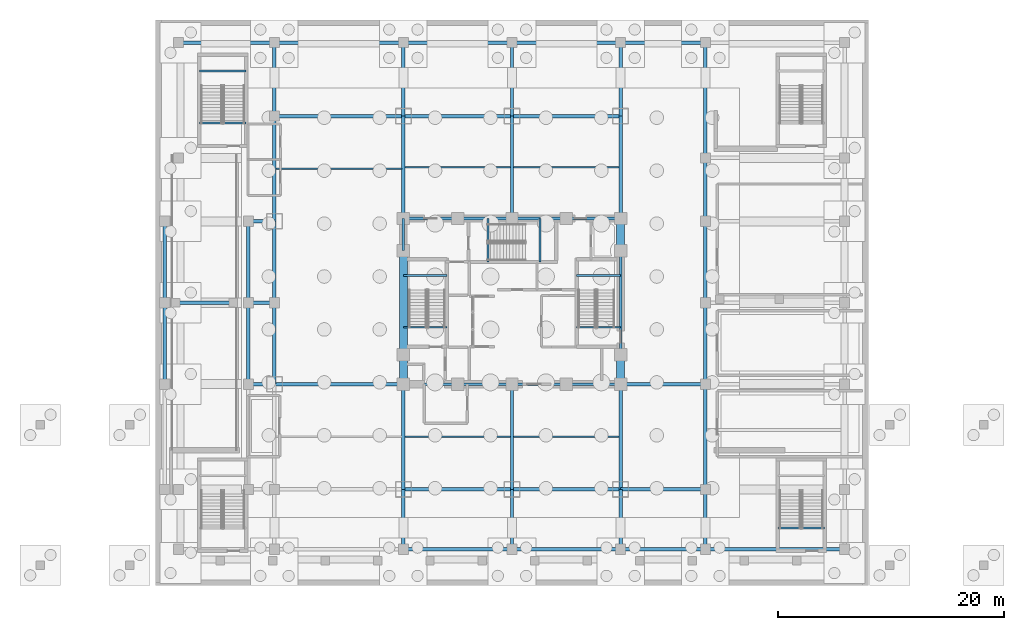
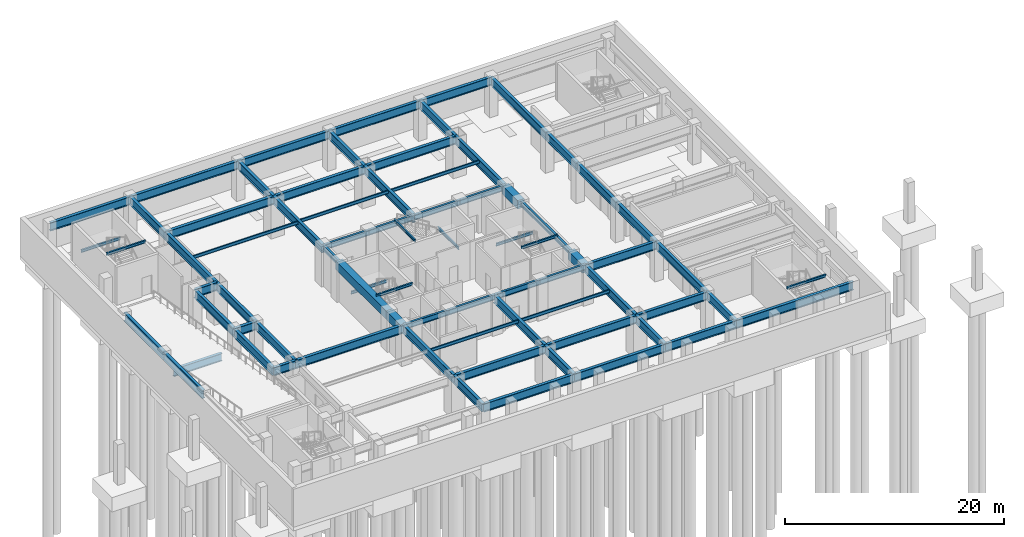
# One storey, part 3 of 12: 75 beams.
"""IFC4 building model written with IfcOpenShell, lengths in metres."""

from ifc_helpers import new_model, si_unit, direction, frame, origin, origin_2d, place, context, subcontext, project, spatial, rectangle, i_section, extrude, material, material_profile, profile_set, type_object, element, save


model = new_model("IFC4")

# Units and contexts
model_context = context("Model", 3, precision=1e-05, world=origin(), true_north=direction((0.0, 1.0)))
body_context = subcontext(model_context, "Body", "Model", "MODEL_VIEW")
ifc_project = project(units=[si_unit("LENGTHUNIT", "METRE"), si_unit("AREAUNIT", "SQUARE_METRE"), si_unit("VOLUMEUNIT", "CUBIC_METRE"), si_unit("PLANEANGLEUNIT", "RADIAN"), si_unit("MASSUNIT", "GRAM", prefix="KILO")], contexts=[model_context])

# Site, building, storey
site_placement = place(None, origin())
site = spatial("IfcSite", under=ifc_project, at=site_placement, CompositionType="ELEMENT")
building_placement = place(site_placement, origin())
building = spatial("IfcBuilding", under=site, at=building_placement, Name="Vantalir Tower", CompositionType="ELEMENT")
storey_placement = place(building_placement, frame((0.0, 0.0, -9.0)))
storey = spatial("IfcBuildingStorey", under=building, at=storey_placement, Name="B02", CompositionType="ELEMENT", Elevation=-9.0)

# Beams
ifc_material_1 = material(Name="Concrete C60/75", Category="concrete")
ifc_material_profile_1 = material_profile(ifc_material_1, rectangle(XDim=0.699951171875, YDim=0.949951171875, at=origin_2d()), Name="Concrete C60/75")
ifc_profile_set_1 = profile_set([ifc_material_profile_1], Name="Concrete C60/75")
beam_type_1 = type_object("IfcBeamType", Name="BM-CB-700x950", PredefinedType="USERDEFINED", material=ifc_profile_set_1)
beam_1_placement = place(storey_placement, frame((41.10009765625, 17.800048828125, 3.77490234375), z_axis=(0.0, 1.0, 0.0), x_axis=(-1.0, 0.0, 0.0)))
element("IfcBeam", 1, at=beam_1_placement, inside=storey, type_object=beam_type_1, Name="B02 Core Coupling Girder 05", ObjectType="GIRDER", PredefinedType="USERDEFINED", context=body_context, shape_type="SweptSolid", body=[
    extrude(rectangle(XDim=0.699951171875, YDim=0.949951171875, at=origin_2d()), origin(), (0.0, 0.0, 1.0), 2.599853515625),
])
beam_2_placement = place(storey_placement, frame((41.10009765625, 29.60009765625, 3.77490234375), z_axis=(0.0, 1.0, 0.0), x_axis=(-1.0, 0.0, 0.0)))
element("IfcBeam", 2, at=beam_2_placement, inside=storey, type_object=beam_type_1, Name="B02 Core Coupling Girder 07", ObjectType="GIRDER", PredefinedType="USERDEFINED", context=body_context, shape_type="SweptSolid", body=[
    extrude(rectangle(XDim=0.699951171875, YDim=0.949951171875, at=origin_2d()), origin(), (0.0, 0.0, 1.0), 2.849853515625),
])
beam_3_placement = place(storey_placement, frame((21.89990234375, 29.60009765625, 3.77490234375), z_axis=(0.0, -1.0, 0.0), x_axis=(1.0, 0.0, 0.0)))
element("IfcBeam", 3, at=beam_3_placement, inside=storey, type_object=beam_type_1, Name="B02 Core Coupling Girder 13", ObjectType="GIRDER", PredefinedType="USERDEFINED", context=body_context, shape_type="SweptSolid", body=[
    extrude(rectangle(XDim=0.699951171875, YDim=0.949951171875, at=origin_2d()), origin(), (0.0, 0.0, 1.0), 9.2001953125),
])
beam_4_placement = place(storey_placement, frame((21.89990234375, 20.39990234375, 3.77490234375), z_axis=(0.0, -1.0, 0.0), x_axis=(1.0, 0.0, 0.0)))
element("IfcBeam", 4, at=beam_4_placement, inside=storey, type_object=beam_type_1, Name="B02 Core Coupling Girder 14", ObjectType="GIRDER", PredefinedType="USERDEFINED", context=body_context, shape_type="SweptSolid", body=[
    extrude(rectangle(XDim=0.699951171875, YDim=0.949951171875, at=origin_2d()), origin(), (0.0, 0.0, 1.0), 2.599853515625),
])
ifc_material_2 = material(Name="Steel S355", Category="steel")
ifc_material_profile_2 = material_profile(ifc_material_2, i_section(OverallWidth=0.166015625, OverallDepth=0.306884765625, WebThickness=0.006591796875, FlangeThickness=0.01171875, at=origin_2d()), Name="Steel S355")
ifc_profile_set_2 = profile_set([ifc_material_profile_2], Name="Steel S355")
beam_type_2 = type_object("IfcBeamType", Name="BM-JS-305x165", PredefinedType="JOIST", material=ifc_profile_set_2)
for number, where, z_axis, x_axis, name in (
    (5, (21.89990234375, 22.8349609375, 4.345947265625), (1.0, 0.0, 0.0), (0.0, 1.0, 0.0), "B01 Stair ST1 Well Nosing Trimmer Beam"),
    (6, (21.89990234375, 27.425048828125, 1.89599609375), (1.0, 0.0, 0.0), (0.0, 1.0, 0.0), "B02 Stair ST1 Half-Landing Support Beam"),
):
    element("IfcBeam", number, at=place(storey_placement, frame(where, z_axis=z_axis, x_axis=x_axis)), inside=storey, type_object=beam_type_2, Name=name, PredefinedType="JOIST", context=body_context, shape_type="SweptSolid", body=[
        extrude(i_section(OverallWidth=0.166015625, OverallDepth=0.306884765625, WebThickness=0.006591796875, FlangeThickness=0.01171875, at=origin_2d()), origin(), (0.0, 0.0, 1.0), 3.840087890625),
    ])
for number, where, z_axis, x_axis, name in (
    (7, (37.2099609375, 22.8349609375, 4.345947265625), (1.0, 0.0, 0.0), (0.0, 1.0, 0.0), "B01 Stair ST2 Well Nosing Trimmer Beam"),
    (8, (37.2099609375, 27.425048828125, 1.89599609375), (1.0, 0.0, 0.0), (0.0, 1.0, 0.0), "B02 Stair ST2 Half-Landing Support Beam"),
):
    element("IfcBeam", number, at=place(storey_placement, frame(where, z_axis=z_axis, x_axis=x_axis)), inside=storey, type_object=beam_type_2, Name=name, PredefinedType="JOIST", context=body_context, shape_type="SweptSolid", body=[
        extrude(i_section(OverallWidth=0.166015625, OverallDepth=0.306884765625, WebThickness=0.006591796875, FlangeThickness=0.01171875, at=origin_2d()), origin(), (0.0, 0.0, 1.0), 3.89013671875),
    ])
for number, where, z_axis, x_axis, name in (
    (9, (29.385009765625, 28.60009765625, 4.345947265625), (0.0, 1.0, 0.0), (-1.0, 0.0, 0.0), "B01 Stair ST3 Well Nosing Trimmer Beam"),
    (10, (33.97509765625, 28.60009765625, 1.89599609375), (0.0, 1.0, 0.0), (-1.0, 0.0, 0.0), "B02 Stair ST3 Half-Landing Support Beam"),
):
    element("IfcBeam", number, at=place(storey_placement, frame(where, z_axis=z_axis, x_axis=x_axis)), inside=storey, type_object=beam_type_2, Name=name, PredefinedType="JOIST", context=body_context, shape_type="SweptSolid", body=[
        extrude(i_section(OverallWidth=0.166015625, OverallDepth=0.306884765625, WebThickness=0.006591796875, FlangeThickness=0.01171875, at=origin_2d()), origin(), (0.0, 0.0, 1.0), 3.849853515625),
    ])
for number, where, z_axis, x_axis, name in (
    (11, (3.860107421875, 40.89501953125, 4.345947265625), (1.0, 0.0, 0.0), (0.0, 1.0, 0.0), "B01 Stair PST1 Well Nosing Trimmer Beam"),
    (12, (3.860107421875, 45.5048828125, 1.89599609375), (1.0, 0.0, 0.0), (0.0, 1.0, 0.0), "B02 Stair PST1 Half-Landing Support Beam"),
    (13, (55.010009765625, 5.094970703125, 4.345947265625), (1.0, 0.0, 0.0), (0.0, 1.0, 0.0), "B01 Stair PST4 Well Nosing Trimmer Beam"),
):
    element("IfcBeam", number, at=place(storey_placement, frame(where, z_axis=z_axis, x_axis=x_axis)), inside=storey, type_object=beam_type_2, Name=name, PredefinedType="JOIST", context=body_context, shape_type="SweptSolid", body=[
        extrude(i_section(OverallWidth=0.166015625, OverallDepth=0.306884765625, WebThickness=0.006591796875, FlangeThickness=0.01171875, at=origin_2d()), origin(), (0.0, 0.0, 1.0), 4.1298828125),
    ])
ifc_material_profile_3 = material_profile(ifc_material_2, i_section(OverallWidth=0.1259765625, OverallDepth=0.35302734375, WebThickness=0.006591796875, FlangeThickness=0.0107421875, at=origin_2d()), Name="Steel S355")
ifc_profile_set_3 = profile_set([ifc_material_profile_3], Name="Steel S355")
beam_type_3 = type_object("IfcBeamType", Name="BM-JS-356x127", PredefinedType="JOIST", material=ifc_profile_set_3)
beam_5_placement = place(storey_placement, frame((10.64501953125, 36.85009765625, 4.073974609375), z_axis=(1.0, 0.0, 0.0), x_axis=(0.0, 1.0, 0.0)))
element("IfcBeam", 14, at=beam_5_placement, inside=storey, type_object=beam_type_3, Name="B02 Secondary Composite Joist 02", PredefinedType="JOIST", context=body_context, shape_type="SweptSolid", body=[
    extrude(i_section(OverallWidth=0.1259765625, OverallDepth=0.35302734375, WebThickness=0.006591796875, FlangeThickness=0.0107421875, at=origin_2d()), origin(), (0.0, 0.0, 1.0), 11.10986328125),
])
for number, where, z_axis, x_axis, name in (
    (15, (22.044921875, 13.14990234375, 4.073974609375), (1.0, 0.0, 0.0), (0.0, 1.0, 0.0), "B02 Secondary Composite Joist 03"),
    (16, (22.044921875, 36.97509765625, 4.073974609375), (1.0, 0.0, 0.0), (0.0, 1.0, 0.0), "B02 Secondary Composite Joist 04"),
    (17, (31.64501953125, 13.14990234375, 4.073974609375), (1.0, 0.0, 0.0), (0.0, 1.0, 0.0), "B02 Secondary Composite Joist 05"),
    (18, (31.64501953125, 36.97509765625, 4.073974609375), (1.0, 0.0, 0.0), (0.0, 1.0, 0.0), "B02 Secondary Composite Joist 06"),
):
    element("IfcBeam", number, at=place(storey_placement, frame(where, z_axis=z_axis, x_axis=x_axis)), inside=storey, type_object=beam_type_3, Name=name, PredefinedType="JOIST", context=body_context, shape_type="SweptSolid", body=[
        extrude(i_section(OverallWidth=0.1259765625, OverallDepth=0.35302734375, WebThickness=0.006591796875, FlangeThickness=0.0107421875, at=origin_2d()), origin(), (0.0, 0.0, 1.0), 9.31005859375),
    ])
ifc_material_profile_4 = material_profile(ifc_material_2, i_section(OverallWidth=0.2939453125, OverallDepth=0.85107421875, WebThickness=0.01611328125, FlangeThickness=0.02685546875, at=origin_2d()), Name="Steel S355")
ifc_profile_set_4 = profile_set([ifc_material_profile_4], Name="Steel S355")
beam_type_4 = type_object("IfcBeamType", Name="BM-PG-838x292", PredefinedType="USERDEFINED", material=ifc_profile_set_4)
beam_6_placement = place(storey_placement, frame((1.75, 25.0, 1.533935546875), z_axis=(1.0, 0.0, 0.0), x_axis=(0.0, 1.0, 0.0)))
element("IfcBeam", 19, at=beam_6_placement, inside=storey, type_object=beam_type_4, Name="B02 Car Park Ramp VR2 Mid-Span Support Girder", ObjectType="GIRDER", PredefinedType="USERDEFINED", context=body_context, shape_type="SweptSolid", body=[
    extrude(i_section(OverallWidth=0.2939453125, OverallDepth=0.85107421875, WebThickness=0.01611328125, FlangeThickness=0.02685546875, at=origin_2d()), origin(), (0.0, 0.0, 1.0), 5.10009765625),
])
ifc_material_profile_5 = material_profile(ifc_material_2, i_section(OverallWidth=0.30810546875, OverallDepth=0.927001953125, WebThickness=0.01953125, FlangeThickness=0.031982421875, at=origin_2d()), Name="Steel S355")
ifc_profile_set_5 = profile_set([ifc_material_profile_5], Name="Steel S355")
beam_type_5 = type_object("IfcBeamType", Name="BM-PG-914x305", PredefinedType="USERDEFINED", material=ifc_profile_set_5)
for number, where, z_axis, x_axis, name in (
    (20, (21.89990234375, 3.199951171875, 3.785888671875), (1.0, 0.0, 0.0), (0.0, 1.0, 0.0), "B02 Podium E-W Girder 03"),
    (21, (31.5, 3.199951171875, 3.785888671875), (1.0, 0.0, 0.0), (0.0, 1.0, 0.0), "B02 Podium E-W Girder 04"),
):
    element("IfcBeam", number, at=place(storey_placement, frame(where, z_axis=z_axis, x_axis=x_axis)), inside=storey, type_object=beam_type_5, Name=name, ObjectType="GIRDER", PredefinedType="USERDEFINED", context=body_context, shape_type="SweptSolid", body=[
        extrude(i_section(OverallWidth=0.30810546875, OverallDepth=0.927001953125, WebThickness=0.01953125, FlangeThickness=0.031982421875, at=origin_2d()), origin(), (0.0, 0.0, 1.0), 9.60009765625),
    ])
beam_7_placement = place(storey_placement, frame((41.10009765625, 3.199951171875, 3.785888671875), z_axis=(1.0, 0.0, 0.0), x_axis=(0.0, 1.0, 0.0)))
element("IfcBeam", 22, at=beam_7_placement, inside=storey, type_object=beam_type_5, Name="B02 Podium E-W Girder 05", ObjectType="GIRDER", PredefinedType="USERDEFINED", context=body_context, shape_type="SweptSolid", body=[
    extrude(i_section(OverallWidth=0.30810546875, OverallDepth=0.927001953125, WebThickness=0.01953125, FlangeThickness=0.031982421875, at=origin_2d()), origin(), (0.0, 0.0, 1.0), 7.5),
])
beam_8_placement = place(storey_placement, frame((48.60009765625, 3.199951171875, 3.785888671875), z_axis=(1.0, 0.0, 0.0), x_axis=(0.0, 1.0, 0.0)))
element("IfcBeam", 23, at=beam_8_placement, inside=storey, type_object=beam_type_5, Name="B02 Podium E-W Girder 06", ObjectType="GIRDER", PredefinedType="USERDEFINED", context=body_context, shape_type="SweptSolid", body=[
    extrude(i_section(OverallWidth=0.30810546875, OverallDepth=0.927001953125, WebThickness=0.01953125, FlangeThickness=0.031982421875, at=origin_2d()), origin(), (0.0, 0.0, 1.0), 12.2998046875),
])
for number, where, z_axis, x_axis, name in (
    (24, (21.89990234375, 8.5, 3.785888671875), (1.0, 0.0, 0.0), (0.0, 1.0, 0.0), "B02 Podium E-W Girder 09"),
    (25, (31.5, 8.5, 3.785888671875), (1.0, 0.0, 0.0), (0.0, 1.0, 0.0), "B02 Podium E-W Girder 10"),
):
    element("IfcBeam", number, at=place(storey_placement, frame(where, z_axis=z_axis, x_axis=x_axis)), inside=storey, type_object=beam_type_5, Name=name, ObjectType="GIRDER", PredefinedType="USERDEFINED", context=body_context, shape_type="SweptSolid", body=[
        extrude(i_section(OverallWidth=0.30810546875, OverallDepth=0.927001953125, WebThickness=0.01953125, FlangeThickness=0.031982421875, at=origin_2d()), origin(), (0.0, 0.0, 1.0), 9.60009765625),
    ])
beam_9_placement = place(storey_placement, frame((41.10009765625, 8.5, 3.785888671875), z_axis=(1.0, 0.0, 0.0), x_axis=(0.0, 1.0, 0.0)))
element("IfcBeam", 26, at=beam_9_placement, inside=storey, type_object=beam_type_5, Name="B02 Podium E-W Girder 11", ObjectType="GIRDER", PredefinedType="USERDEFINED", context=body_context, shape_type="SweptSolid", body=[
    extrude(i_section(OverallWidth=0.30810546875, OverallDepth=0.927001953125, WebThickness=0.01953125, FlangeThickness=0.031982421875, at=origin_2d()), origin(), (0.0, 0.0, 1.0), 7.5),
])
beam_10_placement = place(storey_placement, frame((8.199951171875, 17.800048828125, 3.785888671875), z_axis=(1.0, 0.0, 0.0), x_axis=(0.0, 1.0, 0.0)))
element("IfcBeam", 27, at=beam_10_placement, inside=storey, type_object=beam_type_5, Name="B02 Podium E-W Girder 12", ObjectType="GIRDER", PredefinedType="USERDEFINED", context=body_context, shape_type="SweptSolid", body=[
    extrude(i_section(OverallWidth=0.30810546875, OverallDepth=0.927001953125, WebThickness=0.01953125, FlangeThickness=0.031982421875, at=origin_2d()), origin(), (0.0, 0.0, 1.0), 2.300048828125),
])
beam_11_placement = place(storey_placement, frame((10.5, 17.800048828125, 3.785888671875), z_axis=(1.0, 0.0, 0.0), x_axis=(0.0, 1.0, 0.0)))
element("IfcBeam", 28, at=beam_11_placement, inside=storey, type_object=beam_type_5, Name="B02 Podium E-W Girder 13", ObjectType="GIRDER", PredefinedType="USERDEFINED", context=body_context, shape_type="SweptSolid", body=[
    extrude(i_section(OverallWidth=0.30810546875, OverallDepth=0.927001953125, WebThickness=0.01953125, FlangeThickness=0.031982421875, at=origin_2d()), origin(), (0.0, 0.0, 1.0), 11.39990234375),
])
beam_12_placement = place(storey_placement, frame((41.10009765625, 17.800048828125, 3.785888671875), z_axis=(1.0, 0.0, 0.0), x_axis=(0.0, 1.0, 0.0)))
element("IfcBeam", 29, at=beam_12_placement, inside=storey, type_object=beam_type_5, Name="B02 Podium E-W Girder 18", ObjectType="GIRDER", PredefinedType="USERDEFINED", context=body_context, shape_type="SweptSolid", body=[
    extrude(i_section(OverallWidth=0.30810546875, OverallDepth=0.927001953125, WebThickness=0.01953125, FlangeThickness=0.031982421875, at=origin_2d()), origin(), (0.0, 0.0, 1.0), 7.5),
])
for number, where, z_axis, x_axis, name in (
    (30, (8.199951171875, 25.0, 3.785888671875), (1.0, 0.0, 0.0), (0.0, 1.0, 0.0), "B02 Podium E-W Girder 20"),
    (31, (8.199951171875, 32.199951171875, 3.785888671875), (1.0, 0.0, 0.0), (0.0, 1.0, 0.0), "B02 Podium E-W Girder 22"),
):
    element("IfcBeam", number, at=place(storey_placement, frame(where, z_axis=z_axis, x_axis=x_axis)), inside=storey, type_object=beam_type_5, Name=name, ObjectType="GIRDER", PredefinedType="USERDEFINED", context=body_context, shape_type="SweptSolid", body=[
        extrude(i_section(OverallWidth=0.30810546875, OverallDepth=0.927001953125, WebThickness=0.01953125, FlangeThickness=0.031982421875, at=origin_2d()), origin(), (0.0, 0.0, 1.0), 2.300048828125),
    ])
beam_13_placement = place(storey_placement, frame((10.5, 41.5, 3.785888671875), z_axis=(1.0, 0.0, 0.0), x_axis=(0.0, 1.0, 0.0)))
element("IfcBeam", 32, at=beam_13_placement, inside=storey, type_object=beam_type_5, Name="B02 Podium E-W Girder 29", ObjectType="GIRDER", PredefinedType="USERDEFINED", context=body_context, shape_type="SweptSolid", body=[
    extrude(i_section(OverallWidth=0.30810546875, OverallDepth=0.927001953125, WebThickness=0.01953125, FlangeThickness=0.031982421875, at=origin_2d()), origin(), (0.0, 0.0, 1.0), 11.39990234375),
])
for number, where, z_axis, x_axis, name in (
    (33, (21.89990234375, 41.5, 3.785888671875), (1.0, 0.0, 0.0), (0.0, 1.0, 0.0), "B02 Podium E-W Girder 30"),
    (34, (31.5, 41.5, 3.785888671875), (1.0, 0.0, 0.0), (0.0, 1.0, 0.0), "B02 Podium E-W Girder 31"),
):
    element("IfcBeam", number, at=place(storey_placement, frame(where, z_axis=z_axis, x_axis=x_axis)), inside=storey, type_object=beam_type_5, Name=name, ObjectType="GIRDER", PredefinedType="USERDEFINED", context=body_context, shape_type="SweptSolid", body=[
        extrude(i_section(OverallWidth=0.30810546875, OverallDepth=0.927001953125, WebThickness=0.01953125, FlangeThickness=0.031982421875, at=origin_2d()), origin(), (0.0, 0.0, 1.0), 9.60009765625),
    ])
beam_14_placement = place(storey_placement, frame((2.0, 48.0, 3.785888671875), z_axis=(1.0, 0.0, 0.0), x_axis=(0.0, 1.0, 0.0)))
element("IfcBeam", 35, at=beam_14_placement, inside=storey, type_object=beam_type_5, Name="B02 Podium E-W Girder 32", ObjectType="GIRDER", PredefinedType="USERDEFINED", context=body_context, shape_type="SweptSolid", body=[
    extrude(i_section(OverallWidth=0.30810546875, OverallDepth=0.927001953125, WebThickness=0.01953125, FlangeThickness=0.031982421875, at=origin_2d()), origin(), (0.0, 0.0, 1.0), 8.5),
])
beam_15_placement = place(storey_placement, frame((10.5, 48.0, 3.785888671875), z_axis=(1.0, 0.0, 0.0), x_axis=(0.0, 1.0, 0.0)))
element("IfcBeam", 36, at=beam_15_placement, inside=storey, type_object=beam_type_5, Name="B02 Podium E-W Girder 33", ObjectType="GIRDER", PredefinedType="USERDEFINED", context=body_context, shape_type="SweptSolid", body=[
    extrude(i_section(OverallWidth=0.30810546875, OverallDepth=0.927001953125, WebThickness=0.01953125, FlangeThickness=0.031982421875, at=origin_2d()), origin(), (0.0, 0.0, 1.0), 11.39990234375),
])
for number, where, z_axis, x_axis, name in (
    (37, (21.89990234375, 48.0, 3.785888671875), (1.0, 0.0, 0.0), (0.0, 1.0, 0.0), "B02 Podium E-W Girder 34"),
    (38, (31.5, 48.0, 3.785888671875), (1.0, 0.0, 0.0), (0.0, 1.0, 0.0), "B02 Podium E-W Girder 35"),
):
    element("IfcBeam", number, at=place(storey_placement, frame(where, z_axis=z_axis, x_axis=x_axis)), inside=storey, type_object=beam_type_5, Name=name, ObjectType="GIRDER", PredefinedType="USERDEFINED", context=body_context, shape_type="SweptSolid", body=[
        extrude(i_section(OverallWidth=0.30810546875, OverallDepth=0.927001953125, WebThickness=0.01953125, FlangeThickness=0.031982421875, at=origin_2d()), origin(), (0.0, 0.0, 1.0), 9.60009765625),
    ])
beam_16_placement = place(storey_placement, frame((41.10009765625, 48.0, 3.785888671875), z_axis=(1.0, 0.0, 0.0), x_axis=(0.0, 1.0, 0.0)))
element("IfcBeam", 39, at=beam_16_placement, inside=storey, type_object=beam_type_5, Name="B02 Podium E-W Girder 36", ObjectType="GIRDER", PredefinedType="USERDEFINED", context=body_context, shape_type="SweptSolid", body=[
    extrude(i_section(OverallWidth=0.30810546875, OverallDepth=0.927001953125, WebThickness=0.01953125, FlangeThickness=0.031982421875, at=origin_2d()), origin(), (0.0, 0.0, 1.0), 7.5),
])
for number, where, z_axis, x_axis, name in (
    (40, (0.800048828125, 17.800048828125, 3.785888671875), (0.0, 1.0, 0.0), (-1.0, 0.0, 0.0), "B02 Podium N-S Girder 39"),
    (41, (0.800048828125, 25.0, 3.785888671875), (0.0, 1.0, 0.0), (-1.0, 0.0, 0.0), "B02 Podium N-S Girder 40"),
    (42, (8.199951171875, 17.800048828125, 3.785888671875), (0.0, 1.0, 0.0), (-1.0, 0.0, 0.0), "B02 Podium N-S Girder 42"),
    (43, (8.199951171875, 25.0, 3.785888671875), (0.0, 1.0, 0.0), (-1.0, 0.0, 0.0), "B02 Podium N-S Girder 43"),
    (44, (10.5, 17.800048828125, 3.785888671875), (0.0, 1.0, 0.0), (-1.0, 0.0, 0.0), "B02 Podium N-S Girder 46"),
    (45, (10.5, 25.0, 3.785888671875), (0.0, 1.0, 0.0), (-1.0, 0.0, 0.0), "B02 Podium N-S Girder 47"),
):
    element("IfcBeam", number, at=place(storey_placement, frame(where, z_axis=z_axis, x_axis=x_axis)), inside=storey, type_object=beam_type_5, Name=name, ObjectType="GIRDER", PredefinedType="USERDEFINED", context=body_context, shape_type="SweptSolid", body=[
        extrude(i_section(OverallWidth=0.30810546875, OverallDepth=0.927001953125, WebThickness=0.01953125, FlangeThickness=0.031982421875, at=origin_2d()), origin(), (0.0, 0.0, 1.0), 7.199951171875),
    ])
beam_17_placement = place(storey_placement, frame((10.5, 32.199951171875, 3.785888671875), z_axis=(0.0, 1.0, 0.0), x_axis=(-1.0, 0.0, 0.0)))
element("IfcBeam", 46, at=beam_17_placement, inside=storey, type_object=beam_type_5, Name="B02 Podium N-S Girder 48", ObjectType="GIRDER", PredefinedType="USERDEFINED", context=body_context, shape_type="SweptSolid", body=[
    extrude(i_section(OverallWidth=0.30810546875, OverallDepth=0.927001953125, WebThickness=0.01953125, FlangeThickness=0.031982421875, at=origin_2d()), origin(), (0.0, 0.0, 1.0), 9.300048828125),
])
beam_18_placement = place(storey_placement, frame((10.5, 41.5, 3.785888671875), z_axis=(0.0, 1.0, 0.0), x_axis=(-1.0, 0.0, 0.0)))
element("IfcBeam", 47, at=beam_18_placement, inside=storey, type_object=beam_type_5, Name="B02 Podium N-S Girder 49", ObjectType="GIRDER", PredefinedType="USERDEFINED", context=body_context, shape_type="SweptSolid", body=[
    extrude(i_section(OverallWidth=0.30810546875, OverallDepth=0.927001953125, WebThickness=0.01953125, FlangeThickness=0.031982421875, at=origin_2d()), origin(), (0.0, 0.0, 1.0), 6.5),
])
beam_19_placement = place(storey_placement, frame((21.89990234375, 3.199951171875, 3.785888671875), z_axis=(0.0, 1.0, 0.0), x_axis=(-1.0, 0.0, 0.0)))
element("IfcBeam", 48, at=beam_19_placement, inside=storey, type_object=beam_type_5, Name="B02 Podium N-S Girder 50", ObjectType="GIRDER", PredefinedType="USERDEFINED", context=body_context, shape_type="SweptSolid", body=[
    extrude(i_section(OverallWidth=0.30810546875, OverallDepth=0.927001953125, WebThickness=0.01953125, FlangeThickness=0.031982421875, at=origin_2d()), origin(), (0.0, 0.0, 1.0), 5.300048828125),
])
beam_20_placement = place(storey_placement, frame((21.89990234375, 8.5, 3.785888671875), z_axis=(0.0, 1.0, 0.0), x_axis=(-1.0, 0.0, 0.0)))
element("IfcBeam", 49, at=beam_20_placement, inside=storey, type_object=beam_type_5, Name="B02 Podium N-S Girder 51", ObjectType="GIRDER", PredefinedType="USERDEFINED", context=body_context, shape_type="SweptSolid", body=[
    extrude(i_section(OverallWidth=0.30810546875, OverallDepth=0.927001953125, WebThickness=0.01953125, FlangeThickness=0.031982421875, at=origin_2d()), origin(), (0.0, 0.0, 1.0), 9.300048828125),
])
beam_21_placement = place(storey_placement, frame((21.89990234375, 32.449951171875, 3.785888671875), z_axis=(0.0, 1.0, 0.0), x_axis=(-1.0, 0.0, 0.0)))
element("IfcBeam", 50, at=beam_21_placement, inside=storey, type_object=beam_type_5, Name="B02 Podium N-S Girder 55", ObjectType="GIRDER", PredefinedType="USERDEFINED", context=body_context, shape_type="SweptSolid", body=[
    extrude(i_section(OverallWidth=0.30810546875, OverallDepth=0.927001953125, WebThickness=0.01953125, FlangeThickness=0.031982421875, at=origin_2d()), origin(), (0.0, 0.0, 1.0), 9.050048828125),
])
beam_22_placement = place(storey_placement, frame((21.89990234375, 41.5, 3.785888671875), z_axis=(0.0, 1.0, 0.0), x_axis=(-1.0, 0.0, 0.0)))
element("IfcBeam", 51, at=beam_22_placement, inside=storey, type_object=beam_type_5, Name="B02 Podium N-S Girder 56", ObjectType="GIRDER", PredefinedType="USERDEFINED", context=body_context, shape_type="SweptSolid", body=[
    extrude(i_section(OverallWidth=0.30810546875, OverallDepth=0.927001953125, WebThickness=0.01953125, FlangeThickness=0.031982421875, at=origin_2d()), origin(), (0.0, 0.0, 1.0), 6.5),
])
beam_23_placement = place(storey_placement, frame((31.5, 3.199951171875, 3.785888671875), z_axis=(0.0, 1.0, 0.0), x_axis=(-1.0, 0.0, 0.0)))
element("IfcBeam", 52, at=beam_23_placement, inside=storey, type_object=beam_type_5, Name="B02 Podium N-S Girder 57", ObjectType="GIRDER", PredefinedType="USERDEFINED", context=body_context, shape_type="SweptSolid", body=[
    extrude(i_section(OverallWidth=0.30810546875, OverallDepth=0.927001953125, WebThickness=0.01953125, FlangeThickness=0.031982421875, at=origin_2d()), origin(), (0.0, 0.0, 1.0), 5.300048828125),
])
beam_24_placement = place(storey_placement, frame((31.5, 8.5, 3.785888671875), z_axis=(0.0, 1.0, 0.0), x_axis=(-1.0, 0.0, 0.0)))
element("IfcBeam", 53, at=beam_24_placement, inside=storey, type_object=beam_type_5, Name="B02 Podium N-S Girder 58", ObjectType="GIRDER", PredefinedType="USERDEFINED", context=body_context, shape_type="SweptSolid", body=[
    extrude(i_section(OverallWidth=0.30810546875, OverallDepth=0.927001953125, WebThickness=0.01953125, FlangeThickness=0.031982421875, at=origin_2d()), origin(), (0.0, 0.0, 1.0), 9.300048828125),
])
beam_25_placement = place(storey_placement, frame((31.5, 32.449951171875, 3.785888671875), z_axis=(0.0, 1.0, 0.0), x_axis=(-1.0, 0.0, 0.0)))
element("IfcBeam", 54, at=beam_25_placement, inside=storey, type_object=beam_type_5, Name="B02 Podium N-S Girder 59", ObjectType="GIRDER", PredefinedType="USERDEFINED", context=body_context, shape_type="SweptSolid", body=[
    extrude(i_section(OverallWidth=0.30810546875, OverallDepth=0.927001953125, WebThickness=0.01953125, FlangeThickness=0.031982421875, at=origin_2d()), origin(), (0.0, 0.0, 1.0), 9.050048828125),
])
beam_26_placement = place(storey_placement, frame((31.5, 41.5, 3.785888671875), z_axis=(0.0, 1.0, 0.0), x_axis=(-1.0, 0.0, 0.0)))
element("IfcBeam", 55, at=beam_26_placement, inside=storey, type_object=beam_type_5, Name="B02 Podium N-S Girder 60", ObjectType="GIRDER", PredefinedType="USERDEFINED", context=body_context, shape_type="SweptSolid", body=[
    extrude(i_section(OverallWidth=0.30810546875, OverallDepth=0.927001953125, WebThickness=0.01953125, FlangeThickness=0.031982421875, at=origin_2d()), origin(), (0.0, 0.0, 1.0), 6.5),
])
beam_27_placement = place(storey_placement, frame((41.10009765625, 3.199951171875, 3.785888671875), z_axis=(0.0, 1.0, 0.0), x_axis=(-1.0, 0.0, 0.0)))
element("IfcBeam", 56, at=beam_27_placement, inside=storey, type_object=beam_type_5, Name="B02 Podium N-S Girder 61", ObjectType="GIRDER", PredefinedType="USERDEFINED", context=body_context, shape_type="SweptSolid", body=[
    extrude(i_section(OverallWidth=0.30810546875, OverallDepth=0.927001953125, WebThickness=0.01953125, FlangeThickness=0.031982421875, at=origin_2d()), origin(), (0.0, 0.0, 1.0), 5.300048828125),
])
beam_28_placement = place(storey_placement, frame((41.10009765625, 8.5, 3.785888671875), z_axis=(0.0, 1.0, 0.0), x_axis=(-1.0, 0.0, 0.0)))
element("IfcBeam", 57, at=beam_28_placement, inside=storey, type_object=beam_type_5, Name="B02 Podium N-S Girder 62", ObjectType="GIRDER", PredefinedType="USERDEFINED", context=body_context, shape_type="SweptSolid", body=[
    extrude(i_section(OverallWidth=0.30810546875, OverallDepth=0.927001953125, WebThickness=0.01953125, FlangeThickness=0.031982421875, at=origin_2d()), origin(), (0.0, 0.0, 1.0), 9.300048828125),
])
beam_29_placement = place(storey_placement, frame((41.10009765625, 32.449951171875, 3.785888671875), z_axis=(0.0, 1.0, 0.0), x_axis=(-1.0, 0.0, 0.0)))
element("IfcBeam", 58, at=beam_29_placement, inside=storey, type_object=beam_type_5, Name="B02 Podium N-S Girder 66", ObjectType="GIRDER", PredefinedType="USERDEFINED", context=body_context, shape_type="SweptSolid", body=[
    extrude(i_section(OverallWidth=0.30810546875, OverallDepth=0.927001953125, WebThickness=0.01953125, FlangeThickness=0.031982421875, at=origin_2d()), origin(), (0.0, 0.0, 1.0), 9.050048828125),
])
beam_30_placement = place(storey_placement, frame((41.10009765625, 41.5, 3.785888671875), z_axis=(0.0, 1.0, 0.0), x_axis=(-1.0, 0.0, 0.0)))
element("IfcBeam", 59, at=beam_30_placement, inside=storey, type_object=beam_type_5, Name="B02 Podium N-S Girder 67", ObjectType="GIRDER", PredefinedType="USERDEFINED", context=body_context, shape_type="SweptSolid", body=[
    extrude(i_section(OverallWidth=0.30810546875, OverallDepth=0.927001953125, WebThickness=0.01953125, FlangeThickness=0.031982421875, at=origin_2d()), origin(), (0.0, 0.0, 1.0), 6.5),
])
beam_31_placement = place(storey_placement, frame((48.60009765625, 3.199951171875, 3.785888671875), z_axis=(0.0, 1.0, 0.0), x_axis=(-1.0, 0.0, 0.0)))
element("IfcBeam", 60, at=beam_31_placement, inside=storey, type_object=beam_type_5, Name="B02 Podium N-S Girder 68", ObjectType="GIRDER", PredefinedType="USERDEFINED", context=body_context, shape_type="SweptSolid", body=[
    extrude(i_section(OverallWidth=0.30810546875, OverallDepth=0.927001953125, WebThickness=0.01953125, FlangeThickness=0.031982421875, at=origin_2d()), origin(), (0.0, 0.0, 1.0), 5.300048828125),
])
beam_32_placement = place(storey_placement, frame((48.60009765625, 8.5, 3.785888671875), z_axis=(0.0, 1.0, 0.0), x_axis=(-1.0, 0.0, 0.0)))
element("IfcBeam", 61, at=beam_32_placement, inside=storey, type_object=beam_type_5, Name="B02 Podium N-S Girder 69", ObjectType="GIRDER", PredefinedType="USERDEFINED", context=body_context, shape_type="SweptSolid", body=[
    extrude(i_section(OverallWidth=0.30810546875, OverallDepth=0.927001953125, WebThickness=0.01953125, FlangeThickness=0.031982421875, at=origin_2d()), origin(), (0.0, 0.0, 1.0), 9.300048828125),
])
for number, where, z_axis, x_axis, name in (
    (62, (48.60009765625, 17.800048828125, 3.785888671875), (0.0, 1.0, 0.0), (-1.0, 0.0, 0.0), "B02 Podium N-S Girder 70"),
    (63, (48.60009765625, 25.0, 3.785888671875), (0.0, 1.0, 0.0), (-1.0, 0.0, 0.0), "B02 Podium N-S Girder 71"),
):
    element("IfcBeam", number, at=place(storey_placement, frame(where, z_axis=z_axis, x_axis=x_axis)), inside=storey, type_object=beam_type_5, Name=name, ObjectType="GIRDER", PredefinedType="USERDEFINED", context=body_context, shape_type="SweptSolid", body=[
        extrude(i_section(OverallWidth=0.30810546875, OverallDepth=0.927001953125, WebThickness=0.01953125, FlangeThickness=0.031982421875, at=origin_2d()), origin(), (0.0, 0.0, 1.0), 7.199951171875),
    ])
beam_33_placement = place(storey_placement, frame((48.60009765625, 32.199951171875, 3.785888671875), z_axis=(0.0, 1.0, 0.0), x_axis=(-1.0, 0.0, 0.0)))
element("IfcBeam", 64, at=beam_33_placement, inside=storey, type_object=beam_type_5, Name="B02 Podium N-S Girder 72", ObjectType="GIRDER", PredefinedType="USERDEFINED", context=body_context, shape_type="SweptSolid", body=[
    extrude(i_section(OverallWidth=0.30810546875, OverallDepth=0.927001953125, WebThickness=0.01953125, FlangeThickness=0.031982421875, at=origin_2d()), origin(), (0.0, 0.0, 1.0), 5.60009765625),
])
beam_34_placement = place(storey_placement, frame((48.60009765625, 37.800048828125, 3.785888671875), z_axis=(0.0, 1.0, 0.0), x_axis=(-1.0, 0.0, 0.0)))
element("IfcBeam", 65, at=beam_34_placement, inside=storey, type_object=beam_type_5, Name="B02 Podium N-S Girder 73", ObjectType="GIRDER", PredefinedType="USERDEFINED", context=body_context, shape_type="SweptSolid", body=[
    extrude(i_section(OverallWidth=0.30810546875, OverallDepth=0.927001953125, WebThickness=0.01953125, FlangeThickness=0.031982421875, at=origin_2d()), origin(), (0.0, 0.0, 1.0), 10.199951171875),
])
ifc_material_profile_6 = material_profile(ifc_material_2, i_section(OverallWidth=0.22998046875, OverallDepth=0.616943359375, WebThickness=0.01318359375, FlangeThickness=0.022216796875, at=origin_2d()), Name="Steel S355")
ifc_profile_set_6 = profile_set([ifc_material_profile_6], Name="Steel S355")
beam_type_6 = type_object("IfcBeamType", Name="BM-RB-610x229", PredefinedType="BEAM", material=ifc_profile_set_6)
for number, where, z_axis, x_axis, name in (
    (66, (21.89990234375, 17.800048828125, 3.94189453125), (1.0, 0.0, 0.0), (0.0, 1.0, 0.0), "B02 Core Coupling Girder 01"),
    (67, (26.699951171875, 17.800048828125, 3.94189453125), (1.0, 0.0, 0.0), (0.0, 1.0, 0.0), "B02 Core Coupling Girder 02"),
    (68, (31.5, 17.800048828125, 3.94189453125), (1.0, 0.0, 0.0), (0.0, 1.0, 0.0), "B02 Core Coupling Girder 03"),
    (69, (36.300048828125, 17.800048828125, 3.94189453125), (1.0, 0.0, 0.0), (0.0, 1.0, 0.0), "B02 Core Coupling Girder 04"),
):
    element("IfcBeam", number, at=place(storey_placement, frame(where, z_axis=z_axis, x_axis=x_axis)), inside=storey, type_object=beam_type_6, Name=name, PredefinedType="BEAM", context=body_context, shape_type="SweptSolid", body=[
        extrude(i_section(OverallWidth=0.22998046875, OverallDepth=0.616943359375, WebThickness=0.01318359375, FlangeThickness=0.022216796875, at=origin_2d()), origin(), (0.0, 0.0, 1.0), 4.800048828125),
    ])
beam_35_placement = place(storey_placement, frame((41.10009765625, 20.39990234375, 3.94189453125), z_axis=(0.0, 1.0, 0.0), x_axis=(-1.0, 0.0, 0.0)))
element("IfcBeam", 70, at=beam_35_placement, inside=storey, type_object=beam_type_6, Name="B02 Core Coupling Girder 06", PredefinedType="BEAM", context=body_context, shape_type="SweptSolid", body=[
    extrude(i_section(OverallWidth=0.22998046875, OverallDepth=0.616943359375, WebThickness=0.01318359375, FlangeThickness=0.022216796875, at=origin_2d()), origin(), (0.0, 0.0, 1.0), 9.2001953125),
])
for number, where, z_axis, x_axis, name in (
    (71, (41.10009765625, 32.449951171875, 3.94189453125), (-1.0, 0.0, 0.0), (0.0, -1.0, 0.0), "B02 Core Coupling Girder 08"),
    (72, (36.300048828125, 32.449951171875, 3.94189453125), (-1.0, 0.0, 0.0), (0.0, -1.0, 0.0), "B02 Core Coupling Girder 09"),
    (73, (31.5, 32.449951171875, 3.94189453125), (-1.0, 0.0, 0.0), (0.0, -1.0, 0.0), "B02 Core Coupling Girder 10"),
    (74, (26.699951171875, 32.449951171875, 3.94189453125), (-1.0, 0.0, 0.0), (0.0, -1.0, 0.0), "B02 Core Coupling Girder 11"),
):
    element("IfcBeam", number, at=place(storey_placement, frame(where, z_axis=z_axis, x_axis=x_axis)), inside=storey, type_object=beam_type_6, Name=name, PredefinedType="BEAM", context=body_context, shape_type="SweptSolid", body=[
        extrude(i_section(OverallWidth=0.22998046875, OverallDepth=0.616943359375, WebThickness=0.01318359375, FlangeThickness=0.022216796875, at=origin_2d()), origin(), (0.0, 0.0, 1.0), 4.800048828125),
    ])
beam_36_placement = place(storey_placement, frame((21.89990234375, 32.449951171875, 3.94189453125), z_axis=(0.0, -1.0, 0.0), x_axis=(1.0, 0.0, 0.0)))
element("IfcBeam", 75, at=beam_36_placement, inside=storey, type_object=beam_type_6, Name="B02 Core Coupling Girder 12", PredefinedType="BEAM", context=body_context, shape_type="SweptSolid", body=[
    extrude(i_section(OverallWidth=0.22998046875, OverallDepth=0.616943359375, WebThickness=0.01318359375, FlangeThickness=0.022216796875, at=origin_2d()), origin(), (0.0, 0.0, 1.0), 2.849853515625),
])

save(model, "model.ifc")
